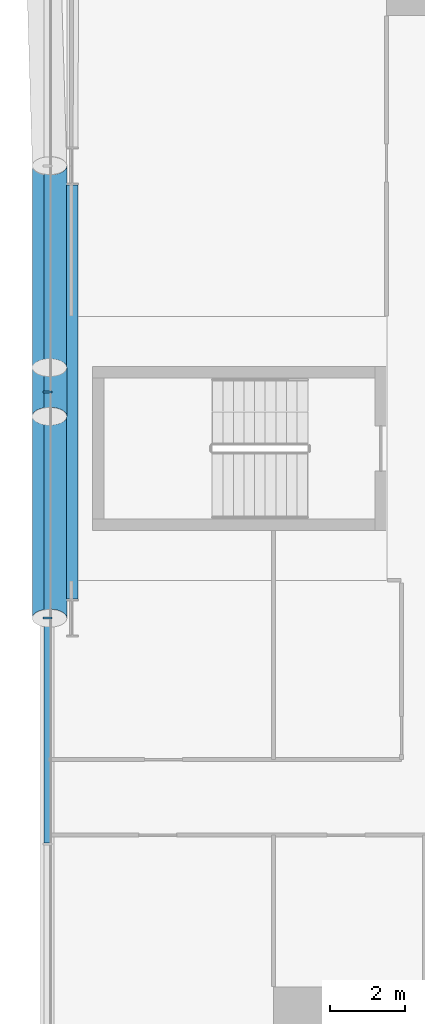
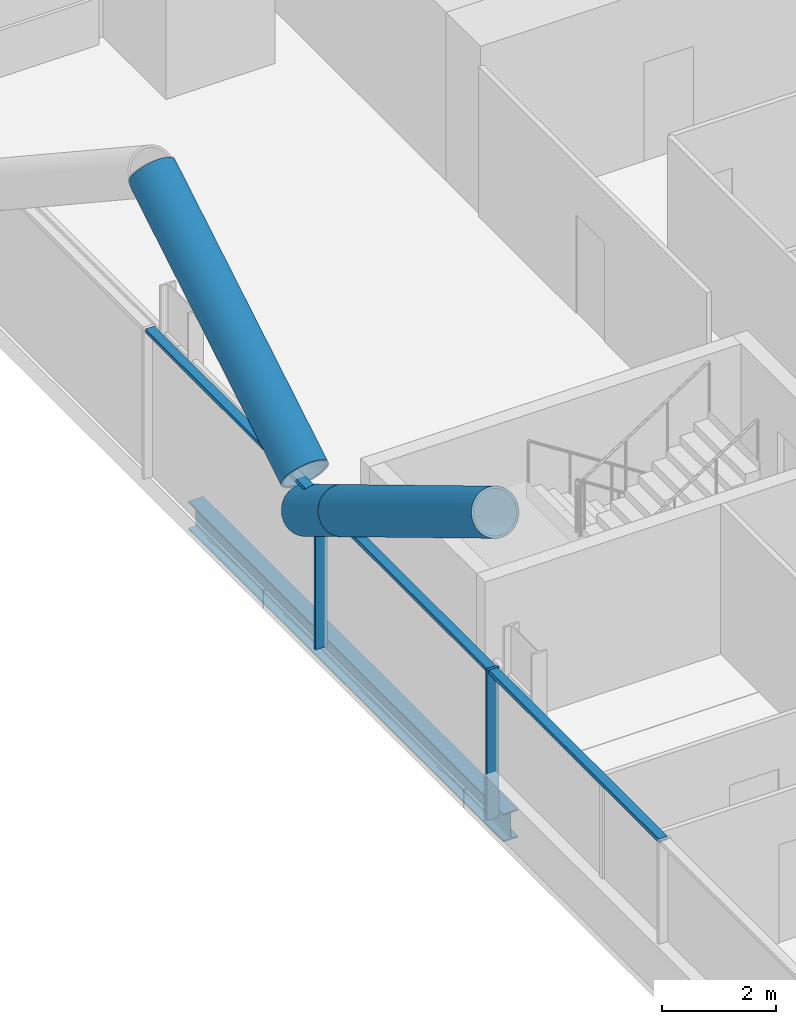
# One storey, part 5 of 27: 8 members, 1 beam, 1 element without a shape of its own.
"""IFC4 building model written with IfcOpenShell, lengths in metres."""

from ifc_helpers import new_model, si_unit, direction, frame, origin, origin_2d, place, context, subcontext, project, spatial, rectangle, hollow_circle, i_section, extrude, material, material_profile, profile_set, type_object, element, aggregate, save


model = new_model("IFC4")

# Units and contexts
model_context = context("Model", 3, precision=1e-05, world=origin(), true_north=direction((0.0, 1.0)))
body_context = subcontext(model_context, "Body", "Model", "MODEL_VIEW")
ifc_project = project(units=[si_unit("LENGTHUNIT", "METRE"), si_unit("AREAUNIT", "SQUARE_METRE"), si_unit("VOLUMEUNIT", "CUBIC_METRE"), si_unit("PLANEANGLEUNIT", "RADIAN"), si_unit("MASSUNIT", "GRAM", prefix="KILO")], contexts=[model_context])

# Site, building, storey
site_placement = place(None, origin())
site = spatial("IfcSite", under=ifc_project, at=site_placement, CompositionType="ELEMENT")
building_placement = place(site_placement, origin())
building = spatial("IfcBuilding", under=site, at=building_placement, Name="Wharfspan Tower", CompositionType="ELEMENT")
storey_placement = place(building_placement, frame((0.0, 0.0, 48.699951)))
storey = spatial("IfcBuildingStorey", under=building, at=storey_placement, Name="L08", CompositionType="ELEMENT", Elevation=48.699951)

# Member
ifc_material_1 = material(Name="Steel S460NH", Category="steel")
ifc_material_profile_1 = material_profile(ifc_material_1, hollow_circle(Radius=0.457031, WallThickness=0.040039, at=origin_2d()))
ifc_profile_set_1 = profile_set([ifc_material_profile_1], Name="Steel S460NH")
member_type_1 = type_object("IfcMemberType", Name="Brace node tie CHS 914x40", PredefinedType="STRUT", material=ifc_profile_set_1)
member_1_placement = place(storey_placement, frame((0.054932, 24.641113, 2.515381), z_axis=(0.0, -0.857507, 0.514472), x_axis=(1.0, 0.0, 0.0)))
element("IfcMember", 1, at=member_1_placement, inside=storey, type_object=member_type_1, Name="Brace node tie L08 W3", PredefinedType="STRUT", context=body_context, shape_type="SweptSolid", body=[
    extrude(hollow_circle(Radius=0.457031, WallThickness=0.040039, at=origin_2d()), origin(), (0.0, 0.0, 1.0), 1.495361),
])

# Beam
ifc_material_2 = material(Name="Steel S355J2", Category="steel")
ifc_material_profile_2 = material_profile(ifc_material_2, i_section(OverallWidth=0.300049, OverallDepth=0.600098, WebThickness=0.015381, FlangeThickness=0.030029, FilletRadius=0.0271, at=origin_2d()))
ifc_profile_set_2 = profile_set([ifc_material_profile_2], Name="Steel S355J2")
beam_type = type_object("IfcBeamType", Name="Edge beam HEB 600", PredefinedType="SPANDREL", material=ifc_profile_set_2)
beam_placement = place(storey_placement, frame((0.659912, 29.5, -0.699951), z_axis=(0.0, -1.0, 0.0), x_axis=(1.0, 0.0, 0.0)))
element("IfcBeam", 2, at=beam_placement, inside=storey, type_object=beam_type, Name="Edge beam W L08 PW.1 to PW.2", PredefinedType="SPANDREL", context=body_context, shape_type="SweptSolid", body=[
    extrude(i_section(OverallWidth=0.300049, OverallDepth=0.600098, WebThickness=0.015381, FlangeThickness=0.030029, FilletRadius=0.0271, at=origin_2d()), origin(), (0.0, 0.0, 1.0), 11.0),
])

# Curtain wall, members
ifc_material_3 = material(Name="Aluminium 6063-T6", Category="aluminium")
curtain_wall_type = type_object("IfcCurtainWallType", Name="CURTAIN WALL PROW AND END", PredefinedType="NOTDEFINED", material=ifc_material_3)
curtain_wall_placement = place(storey_placement, origin())
curtain_wall = element("IfcCurtainWall", 3, at=curtain_wall_placement, inside=storey, type_object=curtain_wall_type, Name="Curtain wall W", PredefinedType="NOTDEFINED")
ifc_material_profile_3 = material_profile(ifc_material_3, rectangle(XDim=0.23999, YDim=0.060059, at=origin_2d()))
ifc_profile_set_3 = profile_set([ifc_material_profile_3], Name="Aluminium 6063-T6")
member_type_2 = type_object("IfcMemberType", Name="MULLION PROW AND END 60x240", PredefinedType="MULLION", material=ifc_profile_set_3)
member_2_placement = place(storey_placement, frame((0.0, 24.0, 0.0), z_axis=(0.0, 0.0, 1.0), x_axis=(1.0, 0.0, 0.0)))
member_2 = element("IfcMember", 4, at=member_2_placement, type_object=member_type_2, Name="Curtain wall W mullion 4", PredefinedType="MULLION", context=body_context, shape_type="SweptSolid", body=[
    extrude(rectangle(XDim=0.23999, YDim=0.060059, at=origin_2d()), origin(), (0.0, 0.0, 1.0), 3.199951),
])
member_3_placement = place(storey_placement, frame((0.0, 18.0, 0.0), z_axis=(0.0, 0.0, 1.0), x_axis=(1.0, 0.0, 0.0)))
member_3 = element("IfcMember", 5, at=member_3_placement, type_object=member_type_2, Name="Curtain wall W mullion 5", PredefinedType="MULLION", context=body_context, shape_type="SweptSolid", body=[
    extrude(rectangle(XDim=0.23999, YDim=0.060059, at=origin_2d()), origin(), (0.0, 0.0, 1.0), 3.199951),
])

# Members
ifc_material_profile_4 = material_profile(ifc_material_1, hollow_circle(Radius=0.457031, WallThickness=0.040039, at=origin_2d()))
ifc_profile_set_4 = profile_set([ifc_material_profile_4], Name="Steel S460NH")
member_type_3 = type_object("IfcMemberType", Name="Mega brace CHS 914x40", PredefinedType="BRACE", material=ifc_profile_set_4)
for number, where, z_axis, x_axis, name in (
    (6, (0.054932, 23.350098, 3.290039), (0.0, -0.8575, 0.514484), (1.0, 0.0, 0.0), "Mega brace W3 L08 part 2"),
    (7, (0.054932, 24.649902, 3.290039), (0.0, 0.8575, 0.514484), (-1.0, 0.0, 0.0), "Mega brace W3 L08 part 4"),
):
    element("IfcMember", number, at=place(storey_placement, frame(where, z_axis=z_axis, x_axis=x_axis)), inside=storey, type_object=member_type_3, Name=name, PredefinedType="BRACE", context=body_context, shape_type="SweptSolid", body=[
        extrude(hollow_circle(Radius=0.457031, WallThickness=0.040039, at=origin_2d()), origin(), (0.0, 0.0, 1.0), 6.239258),
    ])

# Member
ifc_material_profile_5 = material_profile(ifc_material_3, rectangle(XDim=0.179932, YDim=0.080078, at=origin_2d()))
ifc_profile_set_5 = profile_set([ifc_material_profile_5], Name="Aluminium 6063-T6")
member_type_4 = type_object("IfcMemberType", Name="TRANSOM PROW AND END 80x180", PredefinedType="USERDEFINED", material=ifc_profile_set_5)
member_4_placement = place(storey_placement, frame((0.0, 29.969971, 3.160156), z_axis=(0.0, -1.0, 0.0), x_axis=(1.0, 0.0, 0.0)))
member_4 = element("IfcMember", 8, at=member_4_placement, type_object=member_type_4, Name="Curtain wall W transom 3", ObjectType="TRANSOM", PredefinedType="USERDEFINED", context=body_context, shape_type="SweptSolid", body=[
    extrude(rectangle(XDim=0.179932, YDim=0.080078, at=origin_2d()), origin(), (0.0, 0.0, 1.0), 5.939941),
])

member_5_placement = place(storey_placement, frame((0.0, 23.969971, 3.160156), z_axis=(0.0, -1.0, 0.0), x_axis=(1.0, 0.0, 0.0)))
member_5 = element("IfcMember", 9, at=member_5_placement, type_object=member_type_4, Name="Curtain wall W transom 4", ObjectType="TRANSOM", PredefinedType="USERDEFINED", context=body_context, shape_type="SweptSolid", body=[
    extrude(rectangle(XDim=0.179932, YDim=0.080078, at=origin_2d()), origin(), (0.0, 0.0, 1.0), 5.939941),
])

member_6_placement = place(storey_placement, frame((0.0, 17.969971, 3.160156), z_axis=(0.0, -1.0, 0.0), x_axis=(1.0, 0.0, 0.0)))
member_6 = element("IfcMember", 10, at=member_6_placement, type_object=member_type_4, Name="Curtain wall W transom 5", ObjectType="TRANSOM", PredefinedType="USERDEFINED", context=body_context, shape_type="SweptSolid", body=[
    extrude(rectangle(XDim=0.179932, YDim=0.080078, at=origin_2d()), origin(), (0.0, 0.0, 1.0), 5.939941),
])

aggregate(curtain_wall, [member_2, member_3, member_4, member_5, member_6])

save(model, "model.ifc")
